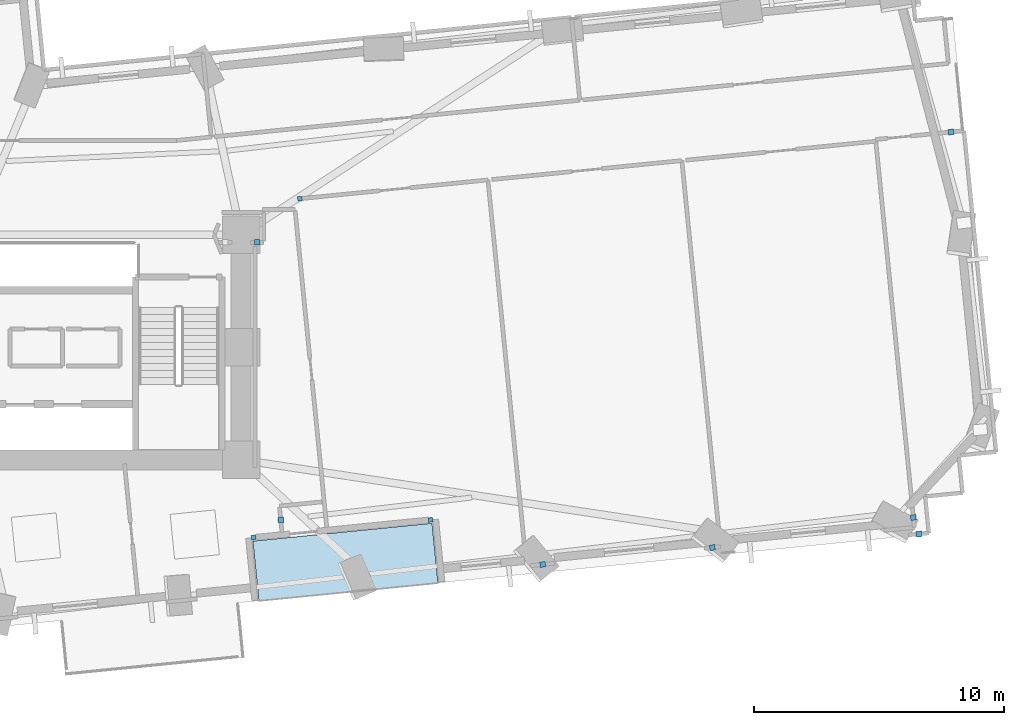
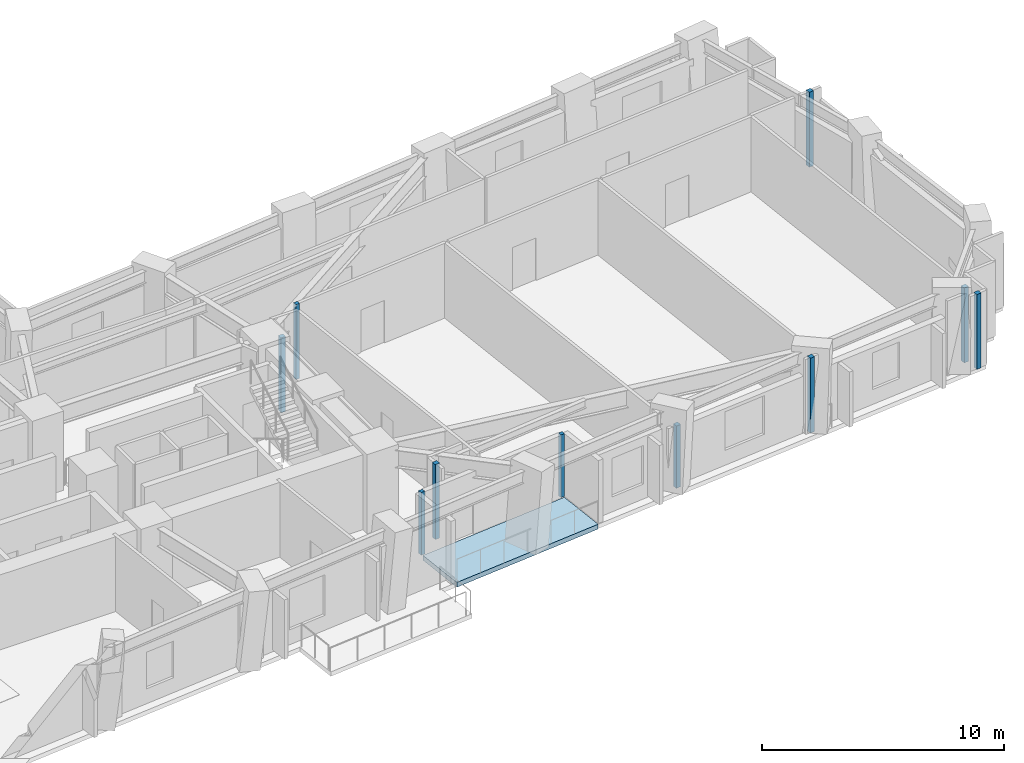
# One storey, part 5 of 16: 10 plates, 1 slab.
"""IFC4 building model written with IfcOpenShell, lengths in metres."""

from ifc_helpers import new_model, si_unit, direction, frame, origin, origin_2d, place, context, subcontext, project, spatial, polyline, rectangle, outline, extrude, material, layer, layer_set, type_object, element, save


model = new_model("IFC4")

# Units and contexts
model_context = context("Model", 3, precision=1e-05, world=origin(), true_north=direction((0.0, 1.0)))
body_context = subcontext(model_context, "Body", "Model", "MODEL_VIEW")
ifc_project = project(units=[si_unit("LENGTHUNIT", "METRE"), si_unit("AREAUNIT", "SQUARE_METRE"), si_unit("VOLUMEUNIT", "CUBIC_METRE"), si_unit("PLANEANGLEUNIT", "RADIAN"), si_unit("MASSUNIT", "GRAM", prefix="KILO")], contexts=[model_context])

# Site, building, storey
site_placement = place(None, origin())
site = spatial("IfcSite", under=ifc_project, at=site_placement, CompositionType="ELEMENT")
building_placement = place(site_placement, origin())
building = spatial("IfcBuilding", under=site, at=building_placement, Name="Gaonmaruhae Medical Tower", CompositionType="ELEMENT")
storey_placement = place(building_placement, frame((0.0, 0.0, 47.0)))
storey = spatial("IfcBuildingStorey", under=building, at=storey_placement, Name="L10", CompositionType="ELEMENT", Elevation=47.0)

# Plates
ifc_material_1 = material(Name="Anodised aluminium 6063-T6", Category="aluminium")
ifc_layer_1 = layer(ifc_material_1, 0.011962890625)
ifc_layer_set_1 = layer_set([ifc_layer_1], Name="Anodised aluminium 6063-T6")
plate_type = type_object("IfcPlateType", Name="PP-01 Interior Partition Corner Stiffener Plate", PredefinedType="SHEET", material=ifc_layer_set_1)
for number, where, z_axis, x_axis, name in (
    (1, (43.181640625, 5.395751953125, 0.0), (0.0, 0.0, 1.0), (-0.995055569961, -0.099319749744, 0.0), "L10 Partition End Jamb Post Plate PLT-L10-ENDP-TERB-0"),
    (2, (36.0966796875, 4.688720703125, 0.0), (0.0, 0.0, 1.0), (-0.995055569961, -0.099319749744, 0.0), "L10 Partition End Jamb Post Plate PLT-L10-ENDP-TERB-1"),
):
    element("IfcPlate", number, at=place(storey_placement, frame(where, z_axis=z_axis, x_axis=x_axis)), inside=storey, type_object=plate_type, Name=name, PredefinedType="SHEET", context=body_context, shape_type="SweptSolid", body=[
        extrude(rectangle(XDim=0.179931640625, YDim=0.179931640625, at=origin_2d()), origin(), (0.0, 0.0, 1.0), 3.1650390625),
    ])
plate_1_placement = place(storey_placement, frame((37.950439453125, 18.25, 0.0), z_axis=(0.0, 0.0, 1.0), x_axis=(0.995057303266, 0.099302382733, 0.0)))
element("IfcPlate", 3, at=plate_1_placement, inside=storey, type_object=plate_type, Name="L10 Partition End Jamb Post Plate PLT-L10-ENDP-PW035-0", PredefinedType="SHEET", context=body_context, shape_type="SweptSolid", body=[
    extrude(rectangle(XDim=0.179931640625, YDim=0.179931640625, at=origin_2d()), origin(), (0.0, 0.0, 1.0), 3.780029296875),
])
for number, where, z_axis, x_axis, name in (
    (4, (36.237548828125, 16.5, 0.0), (0.0, 0.0, 1.0), (1.0, 0.0, 0.0), "L10 Partition Corner Stiffener Plate PLT-L10-JGP-PW027"),
    (5, (37.18505859375, 5.3974609375, 0.0), (0.0, 0.0, 1.0), (0.099597617802, -0.995027795857, 0.0), "L10 Partition Corner Stiffener Plate PLT-L10-JGP-PW033"),
    (6, (54.45849609375, 4.2900390625, 0.0), (0.0, 0.0, 1.0), (-0.995052102442, -0.099354483675, 0.0), "L10 Partition Corner Stiffener Plate PLT-L10-JGP-PW039"),
):
    element("IfcPlate", number, at=place(storey_placement, frame(where, z_axis=z_axis, x_axis=x_axis)), inside=storey, type_object=plate_type, Name=name, PredefinedType="SHEET", context=body_context, shape_type="SweptSolid", body=[
        extrude(rectangle(XDim=0.219970703125, YDim=0.219970703125, at=origin_2d()), origin(), (0.0, 0.0, 1.0), 3.780029296875),
    ])
plate_2_placement = place(storey_placement, frame((47.66552734375, 3.612060546875, 0.0), z_axis=(0.0, 0.0, 1.0), x_axis=(-0.995027795857, -0.099597617802, 0.0)))
element("IfcPlate", 7, at=plate_2_placement, inside=storey, type_object=plate_type, Name="L10 Partition Corner Stiffener Plate PLT-L10-JGP-PW040", PredefinedType="SHEET", context=body_context, shape_type="SweptSolid", body=[
    extrude(rectangle(XDim=0.219970703125, YDim=0.219970703125, at=origin_2d()), origin(), (0.0, 0.0, 1.0), 3.14501953125),
])
for number, where, z_axis, x_axis, name in (
    (8, (62.50048828125, 5.490966796875, 0.0), (0.0, 0.0, 1.0), (0.099753915174, -0.995012138824, 0.0), "L10 Partition Corner Stiffener Plate PLT-L10-JGP-PW043"),
    (9, (62.718017578125, 4.823486328125, 0.0), (0.0, 0.0, 1.0), (-0.99510916147, -0.098781358359, 0.0), "L10 Partition Corner Stiffener Plate PLT-L10-JGP-PW104"),
    (10, (64.006591796875, 20.92041015625, 0.0), (0.0, 0.0, 1.0), (0.995065965245, 0.099215547224, 0.0), "L10 Partition Corner Stiffener Plate PLT-L10-JGP-PW106"),
):
    element("IfcPlate", number, at=place(storey_placement, frame(where, z_axis=z_axis, x_axis=x_axis)), inside=storey, type_object=plate_type, Name=name, PredefinedType="SHEET", context=body_context, shape_type="SweptSolid", body=[
        extrude(rectangle(XDim=0.219970703125, YDim=0.219970703125, at=origin_2d()), origin(), (0.0, 0.0, 1.0), 3.780029296875),
    ])

# Slab
ifc_material_2 = material(Name="Concrete C40/50", Category="concrete")
ifc_layer_2 = layer(ifc_material_2, 0.239990234375)
ifc_layer_set_2 = layer_set([ifc_layer_2], Name="Concrete C40/50")
slab_type = type_object("IfcSlabType", Name="TS-240 Sky Garden & Recovery Terrace Slab", PredefinedType="FLOOR", material=ifc_layer_set_2)
slab_placement = place(storey_placement, frame((0.0, 0.0, -0.239990234375)))
element("IfcSlab", 11, at=slab_placement, inside=storey, type_object=slab_type, Name="L10 Outdoor Recovery Terrace Slab", PredefinedType="FLOOR", context=body_context, shape_type="SweptSolid", body=[
    extrude(outline(polyline([(36.309326171875, 2.1572265625), (43.4736328125, 2.872314453125), (43.2353515625, 5.26025390625), (36.07080078125, 4.545166015625), (36.309326171875, 2.1572265625)])), origin(), (0.0, 0.0, 1.0), 0.239990234375),
])

save(model, "model.ifc")
